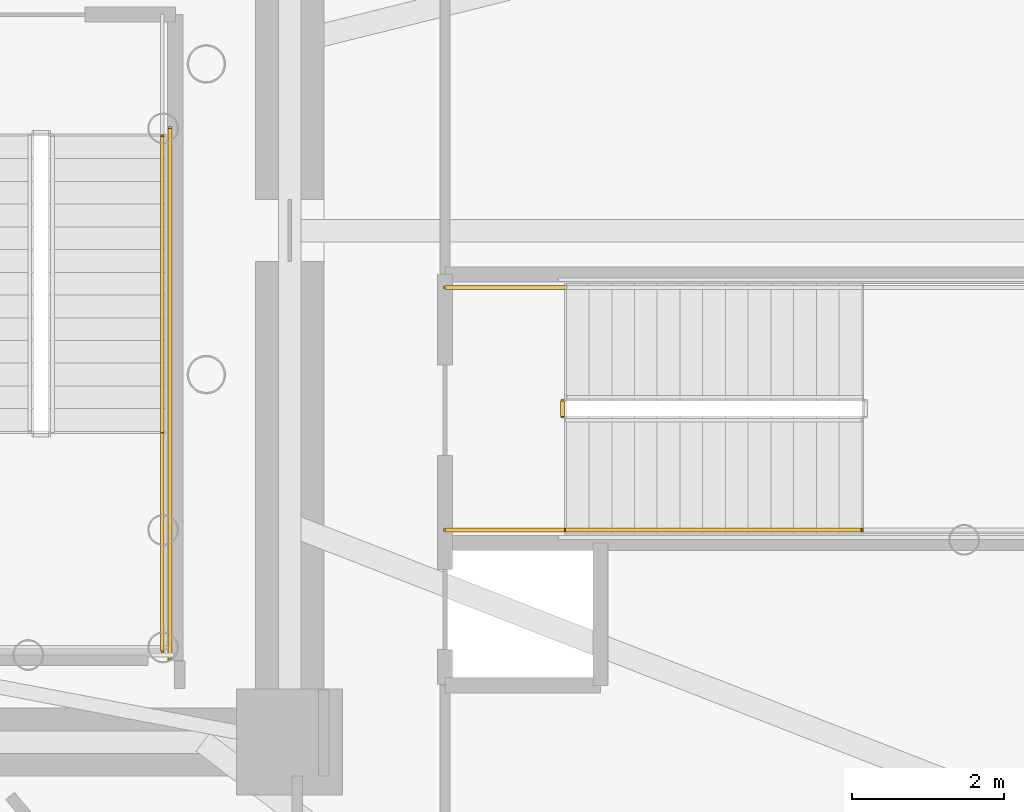
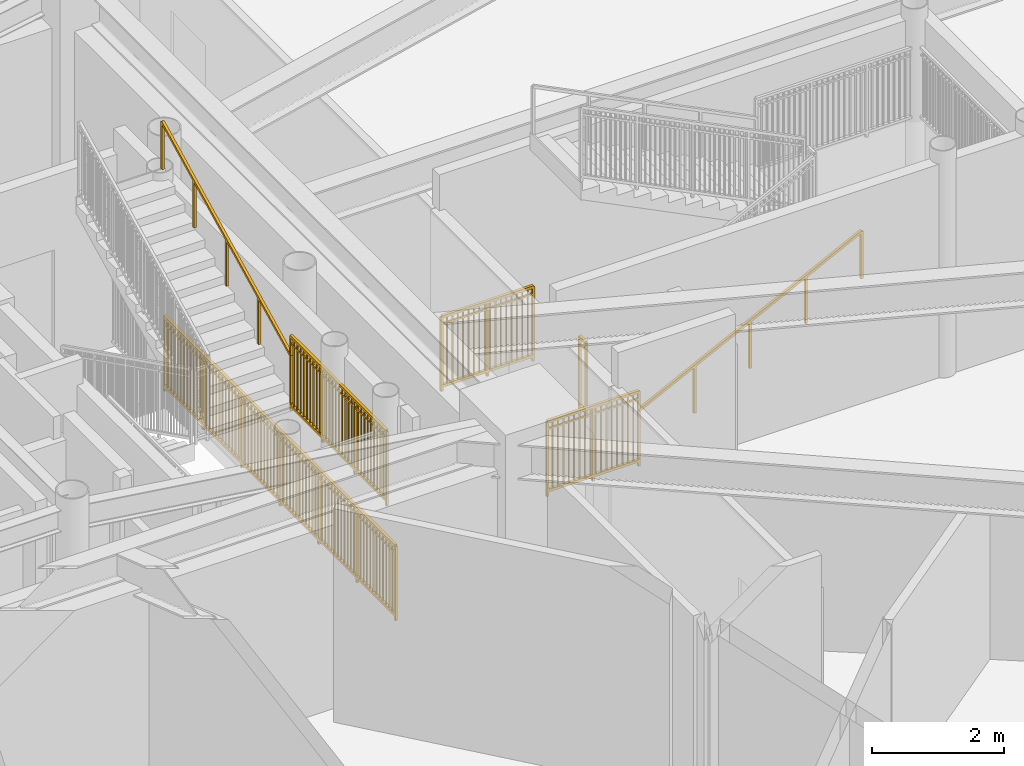
# One storey, part 32 of 35: 7 railings.
"""IFC4 building model written with IfcOpenShell, lengths in metres."""

from ifc_helpers import new_model, si_unit, direction, frame, origin, origin_2d, place, context, subcontext, project, spatial, rectangle, extrude, source, transform, mapped, material, type_object, element, save


model = new_model("IFC4")

# Units and contexts
model_context = context("Model", 3, precision=1e-05, world=origin(), true_north=direction((0.0, 1.0)))
body_context = subcontext(model_context, "Body", "Model", "MODEL_VIEW")
ifc_project = project(units=[si_unit("LENGTHUNIT", "METRE"), si_unit("AREAUNIT", "SQUARE_METRE"), si_unit("VOLUMEUNIT", "CUBIC_METRE"), si_unit("PLANEANGLEUNIT", "RADIAN"), si_unit("MASSUNIT", "GRAM", prefix="KILO")], contexts=[model_context])

# Site, building, storey
site_placement = place(None, origin())
site = spatial("IfcSite", under=ifc_project, at=site_placement, CompositionType="ELEMENT")
building_placement = place(site_placement, origin())
building = spatial("IfcBuilding", under=site, at=building_placement, Name="Linh Dai School and Residence Tower", CompositionType="ELEMENT")
storey_placement = place(building_placement, frame((0.0, 0.0, 32.39990234375)))
storey = spatial("IfcBuildingStorey", under=building, at=storey_placement, Name="L07", CompositionType="ELEMENT", Elevation=32.39990234375)

# Railings
ifc_material_1 = material(Name="Structural Steel S355JR", Category="steel")
railing_type_1 = type_object("IfcRailingType", Name="RL-ST-GUARD-1400", PredefinedType="GUARDRAIL", material=ifc_material_1)
shared_shape_1 = source(origin(), body_context, "Body", "SweptSolid", [
    extrude(rectangle(XDim=0.048095703125, YDim=0.048095703125, at=origin_2d()), frame((0.0, 0.0, 1.3759765625), z_axis=(0.0, -1.0, 0.0), x_axis=(1.0, 0.0, 0.0)), (0.0, 0.0, 1.0), 7.0),
    extrude(rectangle(XDim=0.048095703125, YDim=0.048095703125, at=origin_2d()), frame((0.0, 0.0, 0.10009765625), z_axis=(0.0, -1.0, 0.0), x_axis=(1.0, 0.0, 0.0)), (0.0, 0.0, 1.0), 7.0),
    extrude(rectangle(XDim=0.030029296875, YDim=0.030029296875, at=origin_2d()), frame((0.0, 0.0, 1.239990234375), z_axis=(0.0, -1.0, 0.0), x_axis=(1.0, 0.0, 0.0)), (0.0, 0.0, 1.0), 7.0),
    extrude(rectangle(XDim=0.02001953125, YDim=0.02001953125, at=origin_2d()), frame((0.0, -0.09716796875, 0.10009765625)), (0.0, 0.0, 1.0), 1.251708984375),
    extrude(rectangle(XDim=0.02001953125, YDim=0.02001953125, at=origin_2d()), frame((0.0, -0.1943359375, 0.10009765625)), (0.0, 0.0, 1.0), 1.251708984375),
    extrude(rectangle(XDim=0.02001953125, YDim=0.02001953125, at=origin_2d()), frame((0.0, -0.291748046875, 0.10009765625)), (0.0, 0.0, 1.0), 1.251708984375),
    extrude(rectangle(XDim=0.02001953125, YDim=0.02001953125, at=origin_2d()), frame((0.0, -0.388916015625, 0.10009765625)), (0.0, 0.0, 1.0), 1.251708984375),
    extrude(rectangle(XDim=0.02001953125, YDim=0.02001953125, at=origin_2d()), frame((0.0, -0.486083984375, 0.10009765625)), (0.0, 0.0, 1.0), 1.251708984375),
    extrude(rectangle(XDim=0.02001953125, YDim=0.02001953125, at=origin_2d()), frame((0.0, -0.583251953125, 0.10009765625)), (0.0, 0.0, 1.0), 1.251708984375),
    extrude(rectangle(XDim=0.02001953125, YDim=0.02001953125, at=origin_2d()), frame((0.0, -0.6806640625, 0.10009765625)), (0.0, 0.0, 1.0), 1.251708984375),
    extrude(rectangle(XDim=0.02001953125, YDim=0.02001953125, at=origin_2d()), frame((0.0, -0.77783203125, 0.10009765625)), (0.0, 0.0, 1.0), 1.251708984375),
    extrude(rectangle(XDim=0.02001953125, YDim=0.02001953125, at=origin_2d()), frame((0.0, -0.875, 0.10009765625)), (0.0, 0.0, 1.0), 1.251708984375),
    extrude(rectangle(XDim=0.02001953125, YDim=0.02001953125, at=origin_2d()), frame((0.0, -0.97216796875, 0.10009765625)), (0.0, 0.0, 1.0), 1.251708984375),
    extrude(rectangle(XDim=0.02001953125, YDim=0.02001953125, at=origin_2d()), frame((0.0, -1.0693359375, 0.10009765625)), (0.0, 0.0, 1.0), 1.251708984375),
    extrude(rectangle(XDim=0.02001953125, YDim=0.02001953125, at=origin_2d()), frame((0.0, -1.263916015625, 0.10009765625)), (0.0, 0.0, 1.0), 1.251708984375),
    extrude(rectangle(XDim=0.02001953125, YDim=0.02001953125, at=origin_2d()), frame((0.0, -1.361083984375, 0.10009765625)), (0.0, 0.0, 1.0), 1.251708984375),
    extrude(rectangle(XDim=0.02001953125, YDim=0.02001953125, at=origin_2d()), frame((0.0, -1.458251953125, 0.10009765625)), (0.0, 0.0, 1.0), 1.251708984375),
    extrude(rectangle(XDim=0.02001953125, YDim=0.02001953125, at=origin_2d()), frame((0.0, -1.5556640625, 0.10009765625)), (0.0, 0.0, 1.0), 1.251708984375),
    extrude(rectangle(XDim=0.02001953125, YDim=0.02001953125, at=origin_2d()), frame((0.0, -1.65283203125, 0.10009765625)), (0.0, 0.0, 1.0), 1.251708984375),
    extrude(rectangle(XDim=0.02001953125, YDim=0.02001953125, at=origin_2d()), frame((0.0, -1.75, 0.10009765625)), (0.0, 0.0, 1.0), 1.251708984375),
    extrude(rectangle(XDim=0.02001953125, YDim=0.02001953125, at=origin_2d()), frame((0.0, -1.84716796875, 0.10009765625)), (0.0, 0.0, 1.0), 1.251708984375),
    extrude(rectangle(XDim=0.02001953125, YDim=0.02001953125, at=origin_2d()), frame((0.0, -1.9443359375, 0.10009765625)), (0.0, 0.0, 1.0), 1.251708984375),
    extrude(rectangle(XDim=0.02001953125, YDim=0.02001953125, at=origin_2d()), frame((0.0, -2.041748046875, 0.10009765625)), (0.0, 0.0, 1.0), 1.251708984375),
    extrude(rectangle(XDim=0.02001953125, YDim=0.02001953125, at=origin_2d()), frame((0.0, -2.138916015625, 0.10009765625)), (0.0, 0.0, 1.0), 1.251708984375),
    extrude(rectangle(XDim=0.02001953125, YDim=0.02001953125, at=origin_2d()), frame((0.0, -2.236083984375, 0.10009765625)), (0.0, 0.0, 1.0), 1.251708984375),
    extrude(rectangle(XDim=0.02001953125, YDim=0.02001953125, at=origin_2d()), frame((0.0, -2.4306640625, 0.10009765625)), (0.0, 0.0, 1.0), 1.251708984375),
    extrude(rectangle(XDim=0.02001953125, YDim=0.02001953125, at=origin_2d()), frame((0.0, -2.52783203125, 0.10009765625)), (0.0, 0.0, 1.0), 1.251708984375),
    extrude(rectangle(XDim=0.02001953125, YDim=0.02001953125, at=origin_2d()), frame((0.0, -2.625, 0.10009765625)), (0.0, 0.0, 1.0), 1.251708984375),
    extrude(rectangle(XDim=0.02001953125, YDim=0.02001953125, at=origin_2d()), frame((0.0, -2.72216796875, 0.10009765625)), (0.0, 0.0, 1.0), 1.251708984375),
    extrude(rectangle(XDim=0.02001953125, YDim=0.02001953125, at=origin_2d()), frame((0.0, -2.8193359375, 0.10009765625)), (0.0, 0.0, 1.0), 1.251708984375),
    extrude(rectangle(XDim=0.02001953125, YDim=0.02001953125, at=origin_2d()), frame((0.0, -2.916748046875, 0.10009765625)), (0.0, 0.0, 1.0), 1.251708984375),
    extrude(rectangle(XDim=0.02001953125, YDim=0.02001953125, at=origin_2d()), frame((0.0, -3.013916015625, 0.10009765625)), (0.0, 0.0, 1.0), 1.251708984375),
    extrude(rectangle(XDim=0.02001953125, YDim=0.02001953125, at=origin_2d()), frame((0.0, -3.111083984375, 0.10009765625)), (0.0, 0.0, 1.0), 1.251708984375),
    extrude(rectangle(XDim=0.02001953125, YDim=0.02001953125, at=origin_2d()), frame((0.0, -3.208251953125, 0.10009765625)), (0.0, 0.0, 1.0), 1.251708984375),
    extrude(rectangle(XDim=0.02001953125, YDim=0.02001953125, at=origin_2d()), frame((0.0, -3.3056640625, 0.10009765625)), (0.0, 0.0, 1.0), 1.251708984375),
    extrude(rectangle(XDim=0.02001953125, YDim=0.02001953125, at=origin_2d()), frame((0.0, -3.40283203125, 0.10009765625)), (0.0, 0.0, 1.0), 1.251708984375),
    extrude(rectangle(XDim=0.02001953125, YDim=0.02001953125, at=origin_2d()), frame((0.0, -3.59716796875, 0.10009765625)), (0.0, 0.0, 1.0), 1.251708984375),
    extrude(rectangle(XDim=0.02001953125, YDim=0.02001953125, at=origin_2d()), frame((0.0, -3.6943359375, 0.10009765625)), (0.0, 0.0, 1.0), 1.251708984375),
    extrude(rectangle(XDim=0.02001953125, YDim=0.02001953125, at=origin_2d()), frame((0.0, -3.791748046875, 0.10009765625)), (0.0, 0.0, 1.0), 1.251708984375),
    extrude(rectangle(XDim=0.02001953125, YDim=0.02001953125, at=origin_2d()), frame((0.0, -3.888916015625, 0.10009765625)), (0.0, 0.0, 1.0), 1.251708984375),
    extrude(rectangle(XDim=0.02001953125, YDim=0.02001953125, at=origin_2d()), frame((0.0, -3.986083984375, 0.10009765625)), (0.0, 0.0, 1.0), 1.251708984375),
    extrude(rectangle(XDim=0.02001953125, YDim=0.02001953125, at=origin_2d()), frame((0.0, -4.083251953125, 0.10009765625)), (0.0, 0.0, 1.0), 1.251708984375),
    extrude(rectangle(XDim=0.02001953125, YDim=0.02001953125, at=origin_2d()), frame((0.0, -4.1806640625, 0.10009765625)), (0.0, 0.0, 1.0), 1.251708984375),
    extrude(rectangle(XDim=0.02001953125, YDim=0.02001953125, at=origin_2d()), frame((0.0, -4.27783203125, 0.10009765625)), (0.0, 0.0, 1.0), 1.251708984375),
    extrude(rectangle(XDim=0.02001953125, YDim=0.02001953125, at=origin_2d()), frame((0.0, -4.375, 0.10009765625)), (0.0, 0.0, 1.0), 1.251708984375),
    extrude(rectangle(XDim=0.02001953125, YDim=0.02001953125, at=origin_2d()), frame((0.0, -4.47216796875, 0.10009765625)), (0.0, 0.0, 1.0), 1.251708984375),
    extrude(rectangle(XDim=0.02001953125, YDim=0.02001953125, at=origin_2d()), frame((0.0, -4.5693359375, 0.10009765625)), (0.0, 0.0, 1.0), 1.251708984375),
    extrude(rectangle(XDim=0.02001953125, YDim=0.02001953125, at=origin_2d()), frame((0.0, -4.763916015625, 0.10009765625)), (0.0, 0.0, 1.0), 1.251708984375),
    extrude(rectangle(XDim=0.02001953125, YDim=0.02001953125, at=origin_2d()), frame((0.0, -4.861083984375, 0.10009765625)), (0.0, 0.0, 1.0), 1.251708984375),
    extrude(rectangle(XDim=0.02001953125, YDim=0.02001953125, at=origin_2d()), frame((0.0, -4.958251953125, 0.10009765625)), (0.0, 0.0, 1.0), 1.251708984375),
    extrude(rectangle(XDim=0.02001953125, YDim=0.02001953125, at=origin_2d()), frame((0.0, -5.0556640625, 0.10009765625)), (0.0, 0.0, 1.0), 1.251708984375),
    extrude(rectangle(XDim=0.02001953125, YDim=0.02001953125, at=origin_2d()), frame((0.0, -5.15283203125, 0.10009765625)), (0.0, 0.0, 1.0), 1.251708984375),
    extrude(rectangle(XDim=0.02001953125, YDim=0.02001953125, at=origin_2d()), frame((0.0, -5.25, 0.10009765625)), (0.0, 0.0, 1.0), 1.251708984375),
    extrude(rectangle(XDim=0.02001953125, YDim=0.02001953125, at=origin_2d()), frame((0.0, -5.34716796875, 0.10009765625)), (0.0, 0.0, 1.0), 1.251708984375),
    extrude(rectangle(XDim=0.02001953125, YDim=0.02001953125, at=origin_2d()), frame((0.0, -5.4443359375, 0.10009765625)), (0.0, 0.0, 1.0), 1.251708984375),
    extrude(rectangle(XDim=0.02001953125, YDim=0.02001953125, at=origin_2d()), frame((0.0, -5.541748046875, 0.10009765625)), (0.0, 0.0, 1.0), 1.251708984375),
    extrude(rectangle(XDim=0.02001953125, YDim=0.02001953125, at=origin_2d()), frame((0.0, -5.638916015625, 0.10009765625)), (0.0, 0.0, 1.0), 1.251708984375),
    extrude(rectangle(XDim=0.02001953125, YDim=0.02001953125, at=origin_2d()), frame((0.0, -5.736083984375, 0.10009765625)), (0.0, 0.0, 1.0), 1.251708984375),
    extrude(rectangle(XDim=0.02001953125, YDim=0.02001953125, at=origin_2d()), frame((0.0, -5.9306640625, 0.10009765625)), (0.0, 0.0, 1.0), 1.251708984375),
    extrude(rectangle(XDim=0.02001953125, YDim=0.02001953125, at=origin_2d()), frame((0.0, -6.02783203125, 0.10009765625)), (0.0, 0.0, 1.0), 1.251708984375),
    extrude(rectangle(XDim=0.02001953125, YDim=0.02001953125, at=origin_2d()), frame((0.0, -6.125, 0.10009765625)), (0.0, 0.0, 1.0), 1.251708984375),
    extrude(rectangle(XDim=0.02001953125, YDim=0.02001953125, at=origin_2d()), frame((0.0, -6.22216796875, 0.10009765625)), (0.0, 0.0, 1.0), 1.251708984375),
    extrude(rectangle(XDim=0.02001953125, YDim=0.02001953125, at=origin_2d()), frame((0.0, -6.3193359375, 0.10009765625)), (0.0, 0.0, 1.0), 1.251708984375),
    extrude(rectangle(XDim=0.02001953125, YDim=0.02001953125, at=origin_2d()), frame((0.0, -6.416748046875, 0.10009765625)), (0.0, 0.0, 1.0), 1.251708984375),
    extrude(rectangle(XDim=0.02001953125, YDim=0.02001953125, at=origin_2d()), frame((0.0, -6.513916015625, 0.10009765625)), (0.0, 0.0, 1.0), 1.251708984375),
    extrude(rectangle(XDim=0.02001953125, YDim=0.02001953125, at=origin_2d()), frame((0.0, -6.611083984375, 0.10009765625)), (0.0, 0.0, 1.0), 1.251708984375),
    extrude(rectangle(XDim=0.02001953125, YDim=0.02001953125, at=origin_2d()), frame((0.0, -6.708251953125, 0.10009765625)), (0.0, 0.0, 1.0), 1.251708984375),
    extrude(rectangle(XDim=0.02001953125, YDim=0.02001953125, at=origin_2d()), frame((0.0, -6.8056640625, 0.10009765625)), (0.0, 0.0, 1.0), 1.251708984375),
    extrude(rectangle(XDim=0.02001953125, YDim=0.02001953125, at=origin_2d()), frame((0.0, -6.90283203125, 0.10009765625)), (0.0, 0.0, 1.0), 1.251708984375),
    extrude(rectangle(XDim=0.0419921875, YDim=0.0419921875, at=origin_2d()), origin(), (0.0, 0.0, 1.0), 1.3759765625),
    extrude(rectangle(XDim=0.0419921875, YDim=0.0419921875, at=origin_2d()), frame((0.0, -1.166748046875, 0.0)), (0.0, 0.0, 1.0), 1.3759765625),
    extrude(rectangle(XDim=0.0419921875, YDim=0.0419921875, at=origin_2d()), frame((0.0, -2.333251953125, 0.0)), (0.0, 0.0, 1.0), 1.3759765625),
    extrude(rectangle(XDim=0.0419921875, YDim=0.0419921875, at=origin_2d()), frame((0.0, -3.5, 0.0)), (0.0, 0.0, 1.0), 1.3759765625),
    extrude(rectangle(XDim=0.0419921875, YDim=0.0419921875, at=origin_2d()), frame((0.0, -4.666748046875, 0.0)), (0.0, 0.0, 1.0), 1.3759765625),
    extrude(rectangle(XDim=0.0419921875, YDim=0.0419921875, at=origin_2d()), frame((0.0, -5.833251953125, 0.0)), (0.0, 0.0, 1.0), 1.3759765625),
    extrude(rectangle(XDim=0.0419921875, YDim=0.0419921875, at=origin_2d()), frame((0.0, -7.0, 0.0)), (0.0, 0.0, 1.0), 1.3759765625),
])
railing_1_placement = place(storey_placement, frame((44.3701171875, 28.35009765625, 0.0)))
element("IfcRailing", 1, at=railing_1_placement, inside=storey, type_object=railing_type_1, Name="L07 ST2 stair guard 11", PredefinedType="GUARDRAIL", context=body_context, shape_type="MappedRepresentation", body=[
    mapped(shared_shape_1, transform((0.0, 0.0, 0.0), x_axis=(1.0, 0.0, 0.0), y_axis=(0.0, 1.0, 0.0), z_axis=(0.0, 0.0, 1.0), scale=1.0)),
])
shared_shape_2 = source(origin(), body_context, "Body", "SweptSolid", [
    extrude(rectangle(XDim=0.048095703125, YDim=0.048095703125, at=origin_2d()), frame((0.0, 0.0, 1.3759765625), z_axis=(0.0, -1.0, 0.0), x_axis=(1.0, 0.0, 0.0)), (0.0, 0.0, 1.0), 2.900146484375),
    extrude(rectangle(XDim=0.048095703125, YDim=0.048095703125, at=origin_2d()), frame((0.0, 0.0, 0.10009765625), z_axis=(0.0, -1.0, 0.0), x_axis=(1.0, 0.0, 0.0)), (0.0, 0.0, 1.0), 2.900146484375),
    extrude(rectangle(XDim=0.030029296875, YDim=0.030029296875, at=origin_2d()), frame((0.0, 0.0, 1.239990234375), z_axis=(0.0, -1.0, 0.0), x_axis=(1.0, 0.0, 0.0)), (0.0, 0.0, 1.0), 2.900146484375),
    extrude(rectangle(XDim=0.02001953125, YDim=0.02001953125, at=origin_2d()), frame((0.0, -0.0966796875, 0.10009765625)), (0.0, 0.0, 1.0), 1.251708984375),
    extrude(rectangle(XDim=0.02001953125, YDim=0.02001953125, at=origin_2d()), frame((0.0, -0.193359375, 0.10009765625)), (0.0, 0.0, 1.0), 1.251708984375),
    extrude(rectangle(XDim=0.02001953125, YDim=0.02001953125, at=origin_2d()), frame((0.0, -0.2900390625, 0.10009765625)), (0.0, 0.0, 1.0), 1.251708984375),
    extrude(rectangle(XDim=0.02001953125, YDim=0.02001953125, at=origin_2d()), frame((0.0, -0.38671875, 0.10009765625)), (0.0, 0.0, 1.0), 1.251708984375),
    extrude(rectangle(XDim=0.02001953125, YDim=0.02001953125, at=origin_2d()), frame((0.0, -0.4833984375, 0.10009765625)), (0.0, 0.0, 1.0), 1.251708984375),
    extrude(rectangle(XDim=0.02001953125, YDim=0.02001953125, at=origin_2d()), frame((0.0, -0.580078125, 0.10009765625)), (0.0, 0.0, 1.0), 1.251708984375),
    extrude(rectangle(XDim=0.02001953125, YDim=0.02001953125, at=origin_2d()), frame((0.0, -0.6767578125, 0.10009765625)), (0.0, 0.0, 1.0), 1.251708984375),
    extrude(rectangle(XDim=0.02001953125, YDim=0.02001953125, at=origin_2d()), frame((0.0, -0.7734375, 0.10009765625)), (0.0, 0.0, 1.0), 1.251708984375),
    extrude(rectangle(XDim=0.02001953125, YDim=0.02001953125, at=origin_2d()), frame((0.0, -0.8701171875, 0.10009765625)), (0.0, 0.0, 1.0), 1.251708984375),
    extrude(rectangle(XDim=0.02001953125, YDim=0.02001953125, at=origin_2d()), frame((0.0, -1.0634765625, 0.10009765625)), (0.0, 0.0, 1.0), 1.251708984375),
    extrude(rectangle(XDim=0.02001953125, YDim=0.02001953125, at=origin_2d()), frame((0.0, -1.16015625, 0.10009765625)), (0.0, 0.0, 1.0), 1.251708984375),
    extrude(rectangle(XDim=0.02001953125, YDim=0.02001953125, at=origin_2d()), frame((0.0, -1.2568359375, 0.10009765625)), (0.0, 0.0, 1.0), 1.251708984375),
    extrude(rectangle(XDim=0.02001953125, YDim=0.02001953125, at=origin_2d()), frame((0.0, -1.353515625, 0.10009765625)), (0.0, 0.0, 1.0), 1.251708984375),
    extrude(rectangle(XDim=0.02001953125, YDim=0.02001953125, at=origin_2d()), frame((0.0, -1.4501953125, 0.10009765625)), (0.0, 0.0, 1.0), 1.251708984375),
    extrude(rectangle(XDim=0.02001953125, YDim=0.02001953125, at=origin_2d()), frame((0.0, -1.546630859375, 0.10009765625)), (0.0, 0.0, 1.0), 1.251708984375),
    extrude(rectangle(XDim=0.02001953125, YDim=0.02001953125, at=origin_2d()), frame((0.0, -1.643310546875, 0.10009765625)), (0.0, 0.0, 1.0), 1.251708984375),
    extrude(rectangle(XDim=0.02001953125, YDim=0.02001953125, at=origin_2d()), frame((0.0, -1.739990234375, 0.10009765625)), (0.0, 0.0, 1.0), 1.251708984375),
    extrude(rectangle(XDim=0.02001953125, YDim=0.02001953125, at=origin_2d()), frame((0.0, -1.836669921875, 0.10009765625)), (0.0, 0.0, 1.0), 1.251708984375),
    extrude(rectangle(XDim=0.02001953125, YDim=0.02001953125, at=origin_2d()), frame((0.0, -2.030029296875, 0.10009765625)), (0.0, 0.0, 1.0), 1.251708984375),
    extrude(rectangle(XDim=0.02001953125, YDim=0.02001953125, at=origin_2d()), frame((0.0, -2.126708984375, 0.10009765625)), (0.0, 0.0, 1.0), 1.251708984375),
    extrude(rectangle(XDim=0.02001953125, YDim=0.02001953125, at=origin_2d()), frame((0.0, -2.223388671875, 0.10009765625)), (0.0, 0.0, 1.0), 1.251708984375),
    extrude(rectangle(XDim=0.02001953125, YDim=0.02001953125, at=origin_2d()), frame((0.0, -2.320068359375, 0.10009765625)), (0.0, 0.0, 1.0), 1.251708984375),
    extrude(rectangle(XDim=0.02001953125, YDim=0.02001953125, at=origin_2d()), frame((0.0, -2.416748046875, 0.10009765625)), (0.0, 0.0, 1.0), 1.251708984375),
    extrude(rectangle(XDim=0.02001953125, YDim=0.02001953125, at=origin_2d()), frame((0.0, -2.513427734375, 0.10009765625)), (0.0, 0.0, 1.0), 1.251708984375),
    extrude(rectangle(XDim=0.02001953125, YDim=0.02001953125, at=origin_2d()), frame((0.0, -2.610107421875, 0.10009765625)), (0.0, 0.0, 1.0), 1.251708984375),
    extrude(rectangle(XDim=0.02001953125, YDim=0.02001953125, at=origin_2d()), frame((0.0, -2.706787109375, 0.10009765625)), (0.0, 0.0, 1.0), 1.251708984375),
    extrude(rectangle(XDim=0.02001953125, YDim=0.02001953125, at=origin_2d()), frame((0.0, -2.803466796875, 0.10009765625)), (0.0, 0.0, 1.0), 1.251708984375),
    extrude(rectangle(XDim=0.0419921875, YDim=0.0419921875, at=origin_2d()), origin(), (0.0, 0.0, 1.0), 1.3759765625),
    extrude(rectangle(XDim=0.0419921875, YDim=0.0419921875, at=origin_2d()), frame((0.0, -0.966796875, 0.0)), (0.0, 0.0, 1.0), 1.3759765625),
    extrude(rectangle(XDim=0.0419921875, YDim=0.0419921875, at=origin_2d()), frame((0.0, -1.933349609375, 0.0)), (0.0, 0.0, 1.0), 1.3759765625),
    extrude(rectangle(XDim=0.0419921875, YDim=0.0419921875, at=origin_2d()), frame((0.0, -2.900146484375, 0.0)), (0.0, 0.0, 1.0), 1.3759765625),
])
railing_2_placement = place(storey_placement, frame((44.27001953125, 24.35009765625, 2.10009765625)))
element("IfcRailing", 2, at=railing_2_placement, inside=storey, type_object=railing_type_1, Name="L07 ST2 stair guard 4", PredefinedType="GUARDRAIL", context=body_context, shape_type="MappedRepresentation", body=[
    mapped(shared_shape_2, transform((0.0, 0.0, 0.0), x_axis=(1.0, 0.0, 0.0), y_axis=(0.0, 1.0, 0.0), z_axis=(0.0, 0.0, 1.0), scale=1.0)),
])
ifc_material_2 = material(Name="Brushed Stainless Steel Handrail", Category="steel")
railing_type_2 = type_object("IfcRailingType", Name="RL-ST-HANDRAIL-900", PredefinedType="HANDRAIL", material=ifc_material_2)
shared_shape_3 = source(origin(), body_context, "Body", "SweptSolid", [
    extrude(rectangle(XDim=0.048095703125, YDim=0.048095703125, at=origin_2d()), frame((0.0, 0.0, 0.8759765625), z_axis=(0.0, 0.894404793364, 0.447258387967), x_axis=(-1.0, 0.0, 0.0)), (0.0, 0.0, 1.0), 4.3603515625),
    extrude(rectangle(XDim=0.0419921875, YDim=0.0419921875, at=origin_2d()), origin(), (0.0, 0.0, 1.0), 0.8759765625),
    extrude(rectangle(XDim=0.0419921875, YDim=0.0419921875, at=origin_2d()), frame((0.0, 0.97509765625, 0.487548828125)), (0.0, 0.0, 1.0), 0.8759765625),
    extrude(rectangle(XDim=0.0419921875, YDim=0.0419921875, at=origin_2d()), frame((0.0, 1.949951171875, 0.97509765625)), (0.0, 0.0, 1.0), 0.8759765625),
    extrude(rectangle(XDim=0.0419921875, YDim=0.0419921875, at=origin_2d()), frame((0.0, 2.9248046875, 1.462646484375)), (0.0, 0.0, 1.0), 0.8759765625),
    extrude(rectangle(XDim=0.0419921875, YDim=0.0419921875, at=origin_2d()), frame((0.0, 3.89990234375, 1.9501953125)), (0.0, 0.0, 1.0), 0.8759765625),
])
railing_3_placement = place(storey_placement, frame((44.27001953125, 24.35009765625, 2.25)))
element("IfcRailing", 3, at=railing_3_placement, inside=storey, type_object=railing_type_2, Name="L07 ST2 stair handrail 2", PredefinedType="HANDRAIL", context=body_context, shape_type="MappedRepresentation", body=[
    mapped(shared_shape_3, transform((0.0, 0.0, 0.0), x_axis=(1.0, 0.0, 0.0), y_axis=(0.0, 1.0, 0.0), z_axis=(0.0, 0.0, 1.0), scale=1.0)),
])
shared_shape_4 = source(origin(), body_context, "Body", "SweptSolid", [
    extrude(rectangle(XDim=0.048095703125, YDim=0.048095703125, at=origin_2d()), frame((0.0, 0.0, 0.8759765625), z_axis=(0.894427191, 0.0, 0.4472135955), x_axis=(0.0, 1.0, 0.0)), (0.0, 0.0, 1.0), 4.360107421875),
    extrude(rectangle(XDim=0.0419921875, YDim=0.0419921875, at=origin_2d()), origin(), (0.0, 0.0, 1.0), 0.8759765625),
    extrude(rectangle(XDim=0.0419921875, YDim=0.0419921875, at=origin_2d()), frame((0.97509765625, 0.0, 0.487548828125)), (0.0, 0.0, 1.0), 0.8759765625),
    extrude(rectangle(XDim=0.0419921875, YDim=0.0419921875, at=origin_2d()), frame((1.949951171875, 0.0, 0.97509765625)), (0.0, 0.0, 1.0), 0.8759765625),
    extrude(rectangle(XDim=0.0419921875, YDim=0.0419921875, at=origin_2d()), frame((2.9248046875, 0.0, 1.46240234375)), (0.0, 0.0, 1.0), 0.8759765625),
    extrude(rectangle(XDim=0.0419921875, YDim=0.0419921875, at=origin_2d()), frame((3.89990234375, 0.0, 1.949951171875)), (0.0, 0.0, 1.0), 0.8759765625),
])
railing_4_placement = place(storey_placement, frame((49.60009765625, 23.050048828125, 0.150146484375)))
element("IfcRailing", 4, at=railing_4_placement, inside=storey, type_object=railing_type_2, Name="L07 STS2 stair handrail 1", PredefinedType="HANDRAIL", context=body_context, shape_type="MappedRepresentation", body=[
    mapped(shared_shape_4, transform((0.0, 0.0, 0.0), x_axis=(1.0, 0.0, 0.0), y_axis=(0.0, 1.0, 0.0), z_axis=(0.0, 0.0, 1.0), scale=1.0)),
])
shared_shape_5 = source(origin(), body_context, "Body", "SweptSolid", [
    extrude(rectangle(XDim=0.048095703125, YDim=0.048095703125, at=origin_2d()), frame((0.0, 0.0, 1.3759765625), z_axis=(0.0, 1.0, 0.0), x_axis=(-1.0, 0.0, 0.0)), (0.0, 0.0, 1.0), 0.199951171875),
    extrude(rectangle(XDim=0.048095703125, YDim=0.048095703125, at=origin_2d()), frame((0.0, 0.0, 0.10009765625), z_axis=(0.0, 1.0, 0.0), x_axis=(-1.0, 0.0, 0.0)), (0.0, 0.0, 1.0), 0.199951171875),
    extrude(rectangle(XDim=0.030029296875, YDim=0.030029296875, at=origin_2d()), frame((0.0, 0.0, 1.239990234375), z_axis=(0.0, 1.0, 0.0), x_axis=(-1.0, 0.0, 0.0)), (0.0, 0.0, 1.0), 0.199951171875),
    extrude(rectangle(XDim=0.0419921875, YDim=0.0419921875, at=origin_2d()), origin(), (0.0, 0.0, 1.0), 1.3759765625),
    extrude(rectangle(XDim=0.0419921875, YDim=0.0419921875, at=origin_2d()), frame((0.0, 0.199951171875, 0.0)), (0.0, 0.0, 1.0), 1.3759765625),
])
railing_5_placement = place(storey_placement, frame((49.550048828125, 24.550048828125, 0.0)))
element("IfcRailing", 5, at=railing_5_placement, inside=storey, type_object=railing_type_1, Name="L07 STS2 stair guard 7", PredefinedType="GUARDRAIL", context=body_context, shape_type="MappedRepresentation", body=[
    mapped(shared_shape_5, transform((0.0, 0.0, 0.0), x_axis=(1.0, 0.0, 0.0), y_axis=(0.0, 1.0, 0.0), z_axis=(0.0, 0.0, 1.0), scale=1.0)),
])
shared_shape_6 = source(origin(), body_context, "Body", "SweptSolid", [
    extrude(rectangle(XDim=0.048095703125, YDim=0.048095703125, at=origin_2d()), frame((0.0, 0.0, 1.3759765625), z_axis=(1.0, 0.0, 0.0), x_axis=(0.0, 1.0, 0.0)), (0.0, 0.0, 1.0), 1.60009765625),
    extrude(rectangle(XDim=0.048095703125, YDim=0.048095703125, at=origin_2d()), frame((0.0, 0.0, 0.10009765625), z_axis=(1.0, 0.0, 0.0), x_axis=(0.0, 1.0, 0.0)), (0.0, 0.0, 1.0), 1.60009765625),
    extrude(rectangle(XDim=0.030029296875, YDim=0.030029296875, at=origin_2d()), frame((0.0, 0.0, 1.239990234375), z_axis=(1.0, 0.0, 0.0), x_axis=(0.0, 1.0, 0.0)), (0.0, 0.0, 1.0), 1.60009765625),
    extrude(rectangle(XDim=0.02001953125, YDim=0.02001953125, at=origin_2d()), frame((0.09423828125, 0.0, 0.10009765625)), (0.0, 0.0, 1.0), 1.251708984375),
    extrude(rectangle(XDim=0.02001953125, YDim=0.02001953125, at=origin_2d()), frame((0.188232421875, 0.0, 0.10009765625)), (0.0, 0.0, 1.0), 1.251708984375),
    extrude(rectangle(XDim=0.02001953125, YDim=0.02001953125, at=origin_2d()), frame((0.282470703125, 0.0, 0.10009765625)), (0.0, 0.0, 1.0), 1.251708984375),
    extrude(rectangle(XDim=0.02001953125, YDim=0.02001953125, at=origin_2d()), frame((0.37646484375, 0.0, 0.10009765625)), (0.0, 0.0, 1.0), 1.251708984375),
    extrude(rectangle(XDim=0.02001953125, YDim=0.02001953125, at=origin_2d()), frame((0.470703125, 0.0, 0.10009765625)), (0.0, 0.0, 1.0), 1.251708984375),
    extrude(rectangle(XDim=0.02001953125, YDim=0.02001953125, at=origin_2d()), frame((0.564697265625, 0.0, 0.10009765625)), (0.0, 0.0, 1.0), 1.251708984375),
    extrude(rectangle(XDim=0.02001953125, YDim=0.02001953125, at=origin_2d()), frame((0.658935546875, 0.0, 0.10009765625)), (0.0, 0.0, 1.0), 1.251708984375),
    extrude(rectangle(XDim=0.02001953125, YDim=0.02001953125, at=origin_2d()), frame((0.7529296875, 0.0, 0.10009765625)), (0.0, 0.0, 1.0), 1.251708984375),
    extrude(rectangle(XDim=0.02001953125, YDim=0.02001953125, at=origin_2d()), frame((0.84716796875, 0.0, 0.10009765625)), (0.0, 0.0, 1.0), 1.251708984375),
    extrude(rectangle(XDim=0.02001953125, YDim=0.02001953125, at=origin_2d()), frame((0.941162109375, 0.0, 0.10009765625)), (0.0, 0.0, 1.0), 1.251708984375),
    extrude(rectangle(XDim=0.02001953125, YDim=0.02001953125, at=origin_2d()), frame((1.035400390625, 0.0, 0.10009765625)), (0.0, 0.0, 1.0), 1.251708984375),
    extrude(rectangle(XDim=0.02001953125, YDim=0.02001953125, at=origin_2d()), frame((1.12939453125, 0.0, 0.10009765625)), (0.0, 0.0, 1.0), 1.251708984375),
    extrude(rectangle(XDim=0.02001953125, YDim=0.02001953125, at=origin_2d()), frame((1.2236328125, 0.0, 0.10009765625)), (0.0, 0.0, 1.0), 1.251708984375),
    extrude(rectangle(XDim=0.02001953125, YDim=0.02001953125, at=origin_2d()), frame((1.317626953125, 0.0, 0.10009765625)), (0.0, 0.0, 1.0), 1.251708984375),
    extrude(rectangle(XDim=0.02001953125, YDim=0.02001953125, at=origin_2d()), frame((1.411865234375, 0.0, 0.10009765625)), (0.0, 0.0, 1.0), 1.251708984375),
    extrude(rectangle(XDim=0.02001953125, YDim=0.02001953125, at=origin_2d()), frame((1.505859375, 0.0, 0.10009765625)), (0.0, 0.0, 1.0), 1.251708984375),
    extrude(rectangle(XDim=0.0419921875, YDim=0.0419921875, at=origin_2d()), origin(), (0.0, 0.0, 1.0), 1.3759765625),
    extrude(rectangle(XDim=0.0419921875, YDim=0.0419921875, at=origin_2d()), frame((0.800048828125, 0.0, 0.0)), (0.0, 0.0, 1.0), 1.3759765625),
    extrude(rectangle(XDim=0.0419921875, YDim=0.0419921875, at=origin_2d()), frame((1.60009765625, 0.0, 0.0)), (0.0, 0.0, 1.0), 1.3759765625),
])
for number, where, name in (
    (6, (48.0, 23.050048828125, 0.0), "L07 STS2 stair guard 8"),
    (7, (48.0, 26.25, 0.0), "L07 STS2 stair guard 9"),
):
    element("IfcRailing", number, at=place(storey_placement, frame(where)), inside=storey, type_object=railing_type_1, Name=name, PredefinedType="GUARDRAIL", context=body_context, shape_type="MappedRepresentation", body=[
        mapped(shared_shape_6, transform((0.0, 0.0, 0.0), x_axis=(1.0, 0.0, 0.0), y_axis=(0.0, 1.0, 0.0), z_axis=(0.0, 0.0, 1.0), scale=1.0)),
    ])

save(model, "model.ifc")
